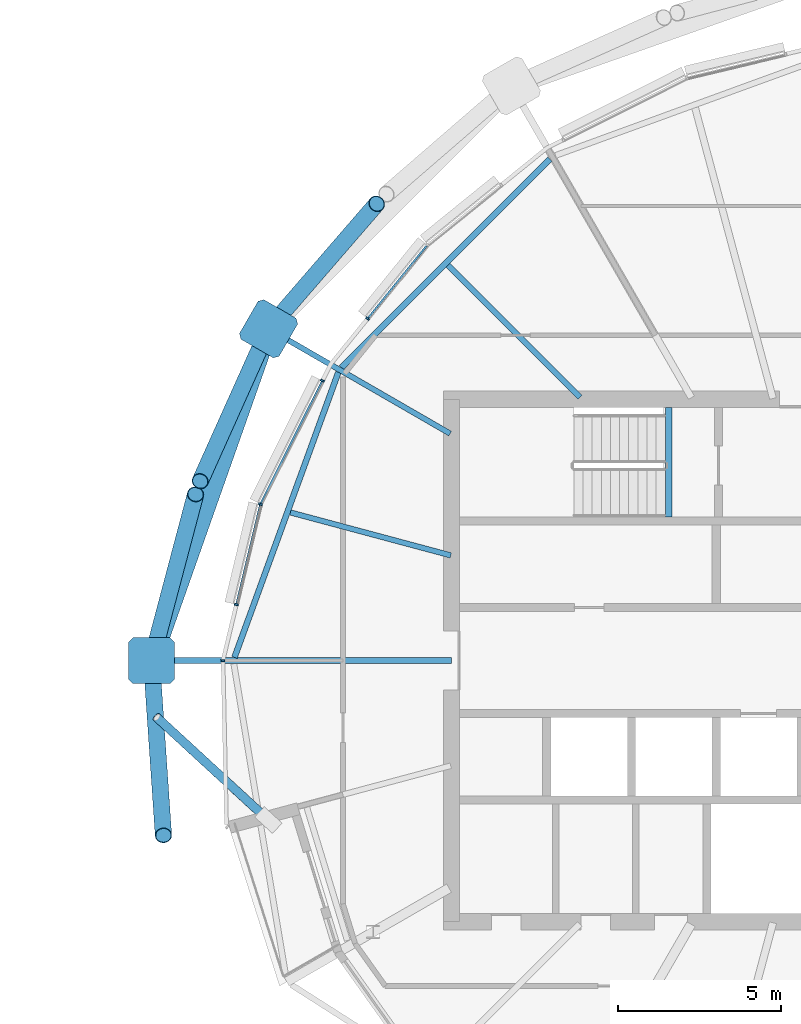
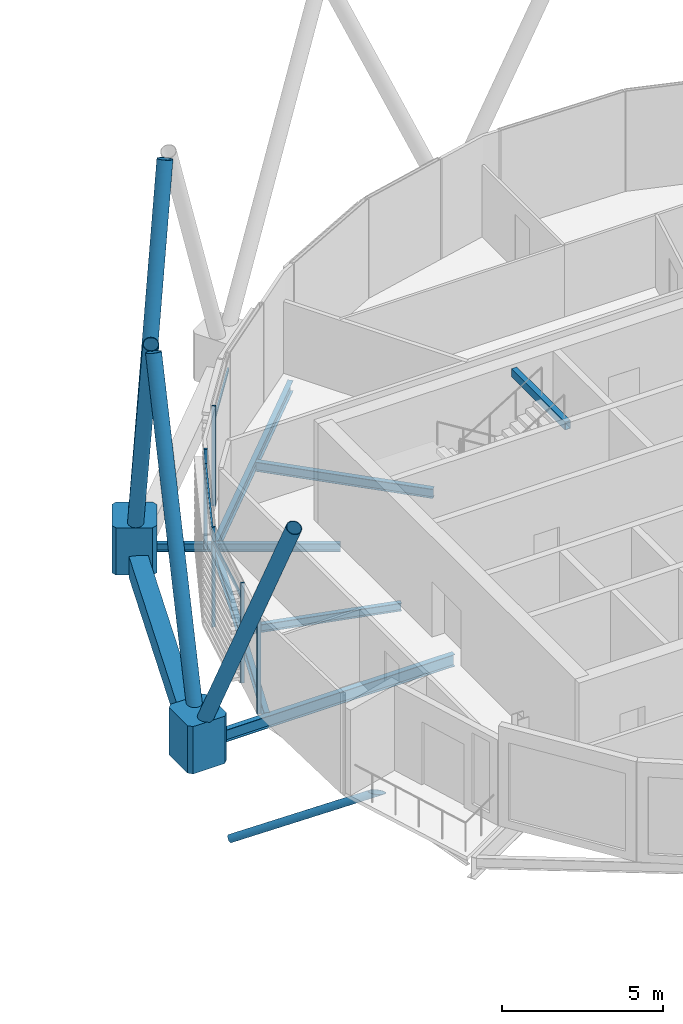
# One storey, part 12 of 31: 15 members, 8 beams, 1 element without a shape of its own.
"""IFC4 building model written with IfcOpenShell, lengths in metres."""

from ifc_helpers import new_model, si_unit, direction, frame, origin, origin_2d, place, context, subcontext, project, spatial, polyline, rectangle, hollow_rectangle, hollow_circle, i_section, outline, extrude, clip, halfspace, material, material_profile, profile_set, type_object, element, aggregate, save


model = new_model("IFC4")

# Units and contexts
model_context = context("Model", 3, precision=1e-05, world=origin(), true_north=direction((0.0, 1.0)))
body_context = subcontext(model_context, "Body", "Model", "MODEL_VIEW")
ifc_project = project(units=[si_unit("LENGTHUNIT", "METRE"), si_unit("AREAUNIT", "SQUARE_METRE"), si_unit("VOLUMEUNIT", "CUBIC_METRE"), si_unit("PLANEANGLEUNIT", "RADIAN"), si_unit("MASSUNIT", "GRAM", prefix="KILO")], contexts=[model_context])

# Site, building, storey
site_placement = place(None, origin())
site = spatial("IfcSite", under=ifc_project, at=site_placement, CompositionType="ELEMENT")
building_placement = place(site_placement, origin())
building = spatial("IfcBuilding", under=site, at=building_placement, Name="Rimbun Link Towers", CompositionType="ELEMENT")
storey_placement = place(building_placement, frame((0.0, 0.0, 244.699951171875)))
storey = spatial("IfcBuildingStorey", under=building, at=storey_placement, Name="L60", CompositionType="ELEMENT", Elevation=244.699951171875)

# Curtain wall, members
ifc_material_1 = material(Name="Aluminium 6063-T6 and low-iron glass", Category="aluminium")
curtain_wall_type = type_object("IfcCurtainWallType", Name="CW1-Z4 unitised vision wall (zone 4)", PredefinedType="NOTDEFINED", material=ifc_material_1)
curtain_wall_placement = place(storey_placement, origin())
curtain_wall = element("IfcCurtainWall", 1, at=curtain_wall_placement, inside=storey, type_object=curtain_wall_type, Name="CW1 L60 T2", PredefinedType="NOTDEFINED")
ifc_material_2 = material(Name="Aluminium 6063-T6", Category="aluminium")
ifc_material_profile_1 = material_profile(ifc_material_2, rectangle(XDim=0.1201171875, YDim=0.06005859375, at=origin_2d()), Name="MULLION 60X120")
ifc_profile_set_1 = profile_set([ifc_material_profile_1], Name="Aluminium 6063-T6")
member_type_1 = type_object("IfcMemberType", Name="CW1 mullion 60X120", PredefinedType="MULLION", material=ifc_profile_set_1)
member_1_placement = place(storey_placement, frame((17.18115234375, 10.47509765625, 0.0), z_axis=(0.0, 0.0, 1.0), x_axis=(-0.777276551105, 0.629159092045, 0.0)))
member_1 = element("IfcMember", 2, at=member_1_placement, type_object=member_type_1, Name="CW1 mullion", PredefinedType="MULLION", context=body_context, shape_type="SweptSolid", body=[
    extrude(rectangle(XDim=0.1201171875, YDim=0.06005859375, at=origin_2d()), origin(), (0.0, 0.0, 1.0), 3.800048828125),
])
member_2_placement = place(storey_placement, frame((13.89501953125, 4.789794921875, 0.0), z_axis=(0.0, 0.0, 1.0), x_axis=(-0.939348063646, 0.342965326709, 0.0)))
member_2 = element("IfcMember", 3, at=member_2_placement, type_object=member_type_1, Name="CW1 mullion", PredefinedType="MULLION", context=body_context, shape_type="SweptSolid", body=[
    extrude(rectangle(XDim=0.1201171875, YDim=0.06005859375, at=origin_2d()), origin(), (0.0, 0.0, 1.0), 3.800048828125),
])
member_3_placement = place(storey_placement, frame((15.794921875, 8.57373046875, 0.0), z_axis=(0.0, 0.0, 1.0), x_axis=(-0.893647148893, 0.4487702901, 0.0)))
member_3 = element("IfcMember", 4, at=member_3_placement, type_object=member_type_1, Name="CW1 mullion", PredefinedType="MULLION", context=body_context, shape_type="SweptSolid", body=[
    extrude(rectangle(XDim=0.1201171875, YDim=0.06005859375, at=origin_2d()), origin(), (0.0, 0.0, 1.0), 3.800048828125),
])
member_4_placement = place(storey_placement, frame((13.159423828125, 1.716064453125, 0.0), z_axis=(0.0, 0.0, 1.0), x_axis=(-0.972571370192, 0.232604664363, 0.0)))
member_4 = element("IfcMember", 5, at=member_4_placement, type_object=member_type_1, Name="CW1 mullion", PredefinedType="MULLION", context=body_context, shape_type="SweptSolid", body=[
    extrude(rectangle(XDim=0.1201171875, YDim=0.06005859375, at=origin_2d()), origin(), (0.0, 0.0, 1.0), 3.800048828125),
])
member_5_placement = place(storey_placement, frame((12.750732421875, -0.001220703125, 0.0), z_axis=(0.0, 0.0, 1.0), x_axis=(-0.999778207989, -0.021060266635, 0.0)))
member_5 = element("IfcMember", 6, at=member_5_placement, type_object=member_type_1, Name="CW1 mullion", PredefinedType="MULLION", context=body_context, shape_type="SweptSolid", body=[
    extrude(rectangle(XDim=0.1201171875, YDim=0.06005859375, at=origin_2d()), origin(), (0.0, 0.0, 1.0), 3.800048828125),
])
ifc_material_3 = material(Name="Aluminium 6063-T6", Category="aluminium")
ifc_material_profile_2 = material_profile(ifc_material_3, rectangle(XDim=0.06005859375, YDim=0.1201171875, at=origin_2d()), Name="TRANSOM 60X120")
ifc_profile_set_2 = profile_set([ifc_material_profile_2], Name="Aluminium 6063-T6")
member_type_2 = type_object("IfcMemberType", Name="CW1 transom 60X120", PredefinedType="USERDEFINED", material=ifc_profile_set_2)
member_6_placement = place(storey_placement, frame((17.20166015625, 10.497314453125, 3.199951171875), z_axis=(0.629185882158, 0.777254865339, 0.0), x_axis=(-0.777254865339, 0.629185882158, 0.0)))
member_6 = element("IfcMember", 7, at=member_6_placement, type_object=member_type_2, Name="CW1 transom", ObjectType="TRANSOM", PredefinedType="USERDEFINED", context=body_context, shape_type="SweptSolid", body=[
    extrude(rectangle(XDim=0.06005859375, YDim=0.1201171875, at=origin_2d()), origin(), (0.0, 0.0, 1.0), 2.84423828125),
])
member_7_placement = place(storey_placement, frame((13.9130859375, 4.822021484375, 3.199951171875), z_axis=(0.448783061239, 0.893640735388, 0.0), x_axis=(-0.893640735388, 0.448783061239, 0.0)))
member_7 = element("IfcMember", 8, at=member_7_placement, type_object=member_type_2, Name="CW1 transom", ObjectType="TRANSOM", PredefinedType="USERDEFINED", context=body_context, shape_type="SweptSolid", body=[
    extrude(rectangle(XDim=0.06005859375, YDim=0.1201171875, at=origin_2d()), origin(), (0.0, 0.0, 1.0), 4.1669921875),
])
member_8_placement = place(storey_placement, frame((13.16845703125, 1.74462890625, 3.199951171875), z_axis=(0.232569967618, 0.972579667771, 0.0), x_axis=(-0.972579667771, 0.232569967618, 0.0)))
member_8 = element("IfcMember", 9, at=member_8_placement, type_object=member_type_2, Name="CW1 transom", ObjectType="TRANSOM", PredefinedType="USERDEFINED", context=body_context, shape_type="SweptSolid", body=[
    extrude(rectangle(XDim=0.06005859375, YDim=0.1201171875, at=origin_2d()), origin(), (0.0, 0.0, 1.0), 3.093505859375),
])
aggregate(curtain_wall, [member_1, member_2, member_3, member_4, member_5, member_6, member_7, member_8])

# Members
ifc_material_4 = material(Name="Steel S355J2H", Category="steel")
ifc_material_profile_3 = material_profile(ifc_material_4, hollow_circle(Radius=0.25390625, WallThickness=0.02001953125, at=origin_2d()), Name="Diagrid diagonal CHS 508x20")
ifc_profile_set_3 = profile_set([ifc_material_profile_3], Name="Steel S355J2H")
member_type_3 = type_object("IfcMemberType", Name="Diagrid diagonal CHS 508x20", PredefinedType="BRACE", material=ifc_profile_set_3)
member_9_placement = place(storey_placement, frame((14.2841796875, 10.322021484375, 0.453857421875), z_axis=(0.274718280653, 0.317565800942, 0.907569186534), x_axis=(-0.756284482651, 0.654242906956, 0.0)))
element("IfcMember", 10, at=member_9_placement, inside=storey, type_object=member_type_3, Name="Diagrid diagonal T2 L60-L63 07a", PredefinedType="BRACE", context=body_context, shape_type="SweptSolid", body=[
    extrude(hollow_circle(Radius=0.25390625, WallThickness=0.02001953125, at=origin_2d()), origin(), (0.0, 0.0, 1.0), 11.56103515625),
])
member_10_placement = place(storey_placement, frame((14.06005859375, 9.97021484375, 0.453125), z_axis=(-0.17334862349, -0.386383016953, 0.905901991909), x_axis=(0.912383729993, -0.409335961337, 0.0)))
element("IfcMember", 11, at=member_10_placement, inside=storey, type_object=member_type_3, Name="Diagrid diagonal T2 L60-L63 07b", PredefinedType="BRACE", context=body_context, shape_type="SweptSolid", body=[
    extrude(hollow_circle(Radius=0.25390625, WallThickness=0.02001953125, at=origin_2d()), origin(), (0.0, 0.0, 1.0), 11.583984375),
])
member_11_placement = place(storey_placement, frame((10.6162109375, 0.20947265625, 0.45068359375), z_axis=(0.111042148765, 0.419064142481, 0.901140880043), x_axis=(-0.966640487302, 0.256137010812, 0.0)))
element("IfcMember", 12, at=member_11_placement, inside=storey, type_object=member_type_3, Name="Diagrid diagonal T2 L60-L63 09a", PredefinedType="BRACE", context=body_context, shape_type="SweptSolid", body=[
    extrude(hollow_circle(Radius=0.25390625, WallThickness=0.02001953125, at=origin_2d()), origin(), (0.0, 0.0, 1.0), 11.650634765625),
])
member_12_placement = place(storey_placement, frame((10.57568359375, -0.219482421875, 0.448974609375), z_axis=(0.030037325785, -0.439162819445, 0.897905216087), x_axis=(0.99766911471, 0.068237361855, 0.0)))
element("IfcMember", 13, at=member_12_placement, inside=storey, type_object=member_type_3, Name="Diagrid diagonal T2 L60-L63 09b", PredefinedType="BRACE", context=body_context, shape_type="SweptSolid", body=[
    extrude(hollow_circle(Radius=0.25390625, WallThickness=0.02001953125, at=origin_2d()), origin(), (0.0, 0.0, 1.0), 11.696044921875),
])
ifc_material_5 = material(Name="Cast steel G20Mn5+QT, Rp0.2 300 MPa", Category="steel")
ifc_material_profile_4 = material_profile(ifc_material_5, outline(polyline([(0.699951171875, -0.570068359375), (0.699951171875, 0.570068359375), (0.570068359375, 0.699951171875), (-0.570068359375, 0.699951171875), (-0.699951171875, 0.570068359375), (-0.699951171875, -0.570068359375), (-0.570068359375, -0.699951171875), (0.570068359375, -0.699951171875), (0.699951171875, -0.570068359375)])), Name="NODE 1400x1400")
ifc_profile_set_4 = profile_set([ifc_material_profile_4], Name="Cast steel G20Mn5+QT, Rp0.2 300 MPa")
member_type_4 = type_object("IfcMemberType", Name="Diagrid node cast 1400", PredefinedType="USERDEFINED", material=ifc_profile_set_4)
for number, where, z_axis, x_axis, name in (
    (14, (14.146728515625, 10.163330078125, -0.89990234375), (0.0, 0.0, 1.0), (-0.866025403784, 0.5, 0.0), "Diagrid node L60 07"),
    (15, (10.560791015625, 0.0, -0.89990234375), (0.0, 0.0, 1.0), (-1.0, 0.0, 0.0), "Diagrid node L60 09"),
):
    element("IfcMember", number, at=place(storey_placement, frame(where, z_axis=z_axis, x_axis=x_axis)), inside=storey, type_object=member_type_4, Name=name, ObjectType="Diagrid node", PredefinedType="USERDEFINED", context=body_context, shape_type="SweptSolid", body=[
        extrude(outline(polyline([(0.699951171875, -0.570068359375), (0.699951171875, 0.570068359375), (0.570068359375, 0.699951171875), (-0.570068359375, 0.699951171875), (-0.699951171875, 0.570068359375), (-0.699951171875, -0.570068359375), (-0.570068359375, -0.699951171875), (0.570068359375, -0.699951171875), (0.699951171875, -0.570068359375)])), origin(), (0.0, 0.0, 1.0), 1.800048828125),
    ])

# Beam
ifc_material_6 = material(Name="Steel S355J2", Category="steel")
ifc_material_profile_5 = material_profile(ifc_material_6, hollow_rectangle(XDim=0.60009765625, YDim=0.800048828125, WallThickness=0.0400390625, at=origin_2d()), Name="Exoskeleton ring girder BOX 600x800x40")
ifc_profile_set_5 = profile_set([ifc_material_profile_5], Name="Steel S355J2")
beam_type_1 = type_object("IfcBeamType", Name="Exoskeleton ring girder BOX 600x800x40", PredefinedType="BEAM", material=ifc_profile_set_5)
beam_1_placement = place(storey_placement, frame((13.913818359375, 9.503173828125, -0.56005859375), z_axis=(-0.3327302346, -0.943022052225, 0.0), x_axis=(0.943022052225, -0.3327302346, 0.0)))
element("IfcBeam", 16, at=beam_1_placement, inside=storey, type_object=beam_type_1, Name="Exoskeleton ring girder L60 03", PredefinedType="BEAM", context=body_context, shape_type="SweptSolid", body=[
    extrude(hollow_rectangle(XDim=0.60009765625, YDim=0.800048828125, WallThickness=0.0400390625, at=origin_2d()), origin(), (0.0, 0.0, 1.0), 9.377197265625),
])

# Member
ifc_material_7 = material(Name="Steel S355J2H", Category="steel")
ifc_material_profile_6 = material_profile(ifc_material_7, hollow_circle(Radius=0.136474609375, WallThickness=0.012451171875, at=origin_2d()), Name="CHS 273x12.5")
ifc_profile_set_6 = profile_set([ifc_material_profile_6], Name="Steel S355J2H")
member_type_5 = type_object("IfcMemberType", Name="Floor edge link CHS 273x12.5", PredefinedType="BRACE", material=ifc_profile_set_6)
member_13_placement = place(storey_placement, frame((14.000244140625, -4.756103515625, -0.6162109375), z_axis=(-0.650009703631, 0.598374095904, -0.468439778986), x_axis=(-0.677280352687, -0.735725032783, 0.0)))
element("IfcMember", 17, at=member_13_placement, inside=storey, type_object=member_type_5, Name="Floor edge link T2 L60 10", PredefinedType="BRACE", context=body_context, shape_type="Clipping", body=[
    clip(extrude(hollow_circle(Radius=0.136474609375, WallThickness=0.012451171875, at=origin_2d()), frame((0.0, 0.0, -0.536376953125)), (0.0, 0.0, 1.0), 5.590576171875), halfspace(frame((0.0, 0.0, -0.254638671875), z_axis=(0.0, 0.883495429226, -0.468439778986)), False)),
])

# Beams
ifc_material_8 = material(Name="Steel S355J2", Category="steel")
ifc_material_profile_7 = material_profile(ifc_material_8, hollow_rectangle(XDim=0.199951171875, YDim=0.300048828125, WallThickness=0.011962890625, at=origin_2d()), Name="BOX 300x200x12")
ifc_profile_set_7 = profile_set([ifc_material_profile_7], Name="Steel S355J2")
beam_type_2 = type_object("IfcBeamType", Name="Stair trimmer beam BOX 300x200x12", PredefinedType="BEAM", material=ifc_profile_set_7)
beam_2_placement = place(storey_placement, frame((26.39990234375, 7.75, 3.510009765625), z_axis=(0.0, -1.0, 0.0), x_axis=(1.0, 0.0, 0.0)))
element("IfcBeam", 18, at=beam_2_placement, inside=storey, type_object=beam_type_2, Name="L60 ST3 stair beam 1", PredefinedType="BEAM", context=body_context, shape_type="SweptSolid", body=[
    extrude(hollow_rectangle(XDim=0.199951171875, YDim=0.300048828125, WallThickness=0.011962890625, at=origin_2d()), origin(), (0.0, 0.0, 1.0), 3.35009765625),
])
ifc_material_9 = material(Name="Steel S355J2", Category="steel")
ifc_material_profile_8 = material_profile(ifc_material_9, i_section(OverallWidth=0.1650390625, OverallDepth=0.303466796875, WebThickness=0.006103515625, FlangeThickness=0.01025390625, at=origin_2d()), Name="UB 305x165x40")
ifc_profile_set_8 = profile_set([ifc_material_profile_8], Name="Steel S355J2")
beam_type_3 = type_object("IfcBeamType", Name="UB 305x165x40", PredefinedType="BEAM", material=ifc_profile_set_8)
beam_3_placement = place(storey_placement, frame((19.7080078125, 6.952392578125, -0.291748046875), z_axis=(-0.86602218603, 0.500005573273, 0.0), x_axis=(-0.500005573273, -0.86602218603, 0.0)))
element("IfcBeam", 19, at=beam_3_placement, inside=storey, type_object=beam_type_3, Name="Radial beam T2 L60 07", PredefinedType="BEAM", context=body_context, shape_type="SweptSolid", body=[
    extrude(i_section(OverallWidth=0.1650390625, OverallDepth=0.303466796875, WebThickness=0.006103515625, FlangeThickness=0.01025390625, at=origin_2d()), origin(), (0.0, 0.0, 1.0), 5.921875),
])
beam_4_placement = place(storey_placement, frame((19.727783203125, 3.221435546875, -0.291748046875), z_axis=(-0.965926618038, 0.258816090238, 0.0), x_axis=(-0.258816090238, -0.965926618038, 0.0)))
element("IfcBeam", 20, at=beam_4_placement, inside=storey, type_object=beam_type_3, Name="Radial beam T2 L60 08", PredefinedType="BEAM", context=body_context, shape_type="SweptSolid", body=[
    extrude(i_section(OverallWidth=0.1650390625, OverallDepth=0.303466796875, WebThickness=0.006103515625, FlangeThickness=0.01025390625, at=origin_2d()), origin(), (0.0, 0.0, 1.0), 5.08447265625),
])
ifc_material_10 = material(Name="Steel S355J2", Category="steel")
ifc_material_profile_9 = material_profile(ifc_material_10, i_section(OverallWidth=0.17138671875, OverallDepth=0.35498046875, WebThickness=0.00732421875, FlangeThickness=0.011474609375, at=origin_2d()), Name="UB 356x171x51")
ifc_profile_set_9 = profile_set([ifc_material_profile_9], Name="Steel S355J2")
beam_type_4 = type_object("IfcBeamType", Name="UB 356x171x51", PredefinedType="BEAM", material=ifc_profile_set_9)
beam_5_placement = place(storey_placement, frame((23.688720703125, 8.061279296875, -0.3173828125), z_axis=(-0.707106781187, 0.707106781187, 0.0), x_axis=(-0.707106781187, -0.707106781187, 0.0)))
element("IfcBeam", 21, at=beam_5_placement, inside=storey, type_object=beam_type_4, Name="Radial beam T2 L60 06", PredefinedType="BEAM", context=body_context, shape_type="SweptSolid", body=[
    extrude(i_section(OverallWidth=0.17138671875, OverallDepth=0.35498046875, WebThickness=0.00732421875, FlangeThickness=0.011474609375, at=origin_2d()), origin(), (0.0, 0.0, 1.0), 5.725830078125),
])
ifc_material_11 = material(Name="Steel S355J2", Category="steel")
ifc_material_profile_10 = material_profile(ifc_material_11, i_section(OverallWidth=0.177978515625, OverallDepth=0.406494140625, WebThickness=0.0078125, FlangeThickness=0.0126953125, at=origin_2d()), Name="UB 406x178x60")
ifc_profile_set_10 = profile_set([ifc_material_profile_10], Name="Steel S355J2")
beam_type_5 = type_object("IfcBeamType", Name="UB 406x178x60", PredefinedType="BEAM", material=ifc_profile_set_10)
beam_6_placement = place(storey_placement, frame((22.760986328125, 15.358154296875, -0.34326171875), z_axis=(-0.707120298937, -0.707093263177, 0.0), x_axis=(0.707093263177, -0.707120298937, 0.0)))
element("IfcBeam", 22, at=beam_6_placement, inside=storey, type_object=beam_type_5, Name="Edge beam T2 L60 05-07", PredefinedType="BEAM", context=body_context, shape_type="SweptSolid", body=[
    extrude(i_section(OverallWidth=0.177978515625, OverallDepth=0.406494140625, WebThickness=0.0078125, FlangeThickness=0.0126953125, at=origin_2d()), origin(), (0.0, 0.0, 1.0), 9.0302734375),
])
beam_7_placement = place(storey_placement, frame((16.285400390625, 8.83203125, -0.34326171875), z_axis=(-0.342299596588, -0.939590861054, 0.0), x_axis=(0.939590861054, -0.342299596588, 0.0)))
element("IfcBeam", 23, at=beam_7_placement, inside=storey, type_object=beam_type_5, Name="Edge beam T2 L60 07-09", PredefinedType="BEAM", context=body_context, shape_type="SweptSolid", body=[
    extrude(i_section(OverallWidth=0.177978515625, OverallDepth=0.406494140625, WebThickness=0.0078125, FlangeThickness=0.0126953125, at=origin_2d()), origin(), (0.0, 0.0, 1.0), 9.2978515625),
])
ifc_material_12 = material(Name="Steel S355J2", Category="steel")
ifc_material_profile_11 = material_profile(ifc_material_12, i_section(OverallWidth=0.18994140625, OverallDepth=0.453369140625, WebThickness=0.008544921875, FlangeThickness=0.0126953125, at=origin_2d()), Name="UB 457x191x67")
ifc_profile_set_11 = profile_set([ifc_material_profile_11], Name="Steel S355J2")
beam_type_6 = type_object("IfcBeamType", Name="UB 457x191x67", PredefinedType="BEAM", material=ifc_profile_set_11)
beam_8_placement = place(storey_placement, frame((19.7490234375, 0.0, -0.36669921875), z_axis=(-1.0, 0.0, 0.0), x_axis=(0.0, -1.0, 0.0)))
element("IfcBeam", 24, at=beam_8_placement, inside=storey, type_object=beam_type_6, Name="Radial beam T2 L60 09", PredefinedType="BEAM", context=body_context, shape_type="SweptSolid", body=[
    extrude(i_section(OverallWidth=0.18994140625, OverallDepth=0.453369140625, WebThickness=0.008544921875, FlangeThickness=0.0126953125, at=origin_2d()), origin(), (0.0, 0.0, 1.0), 8.688232421875),
])

save(model, "model.ifc")
